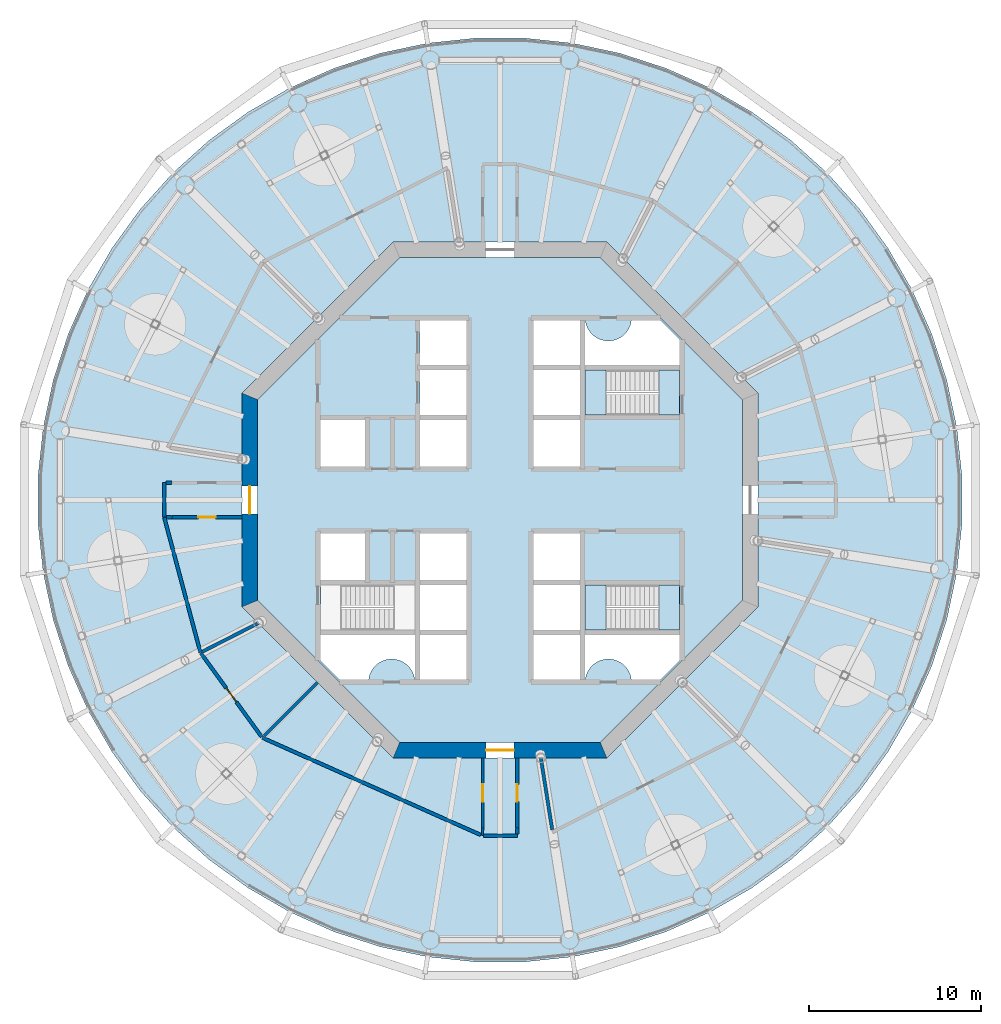
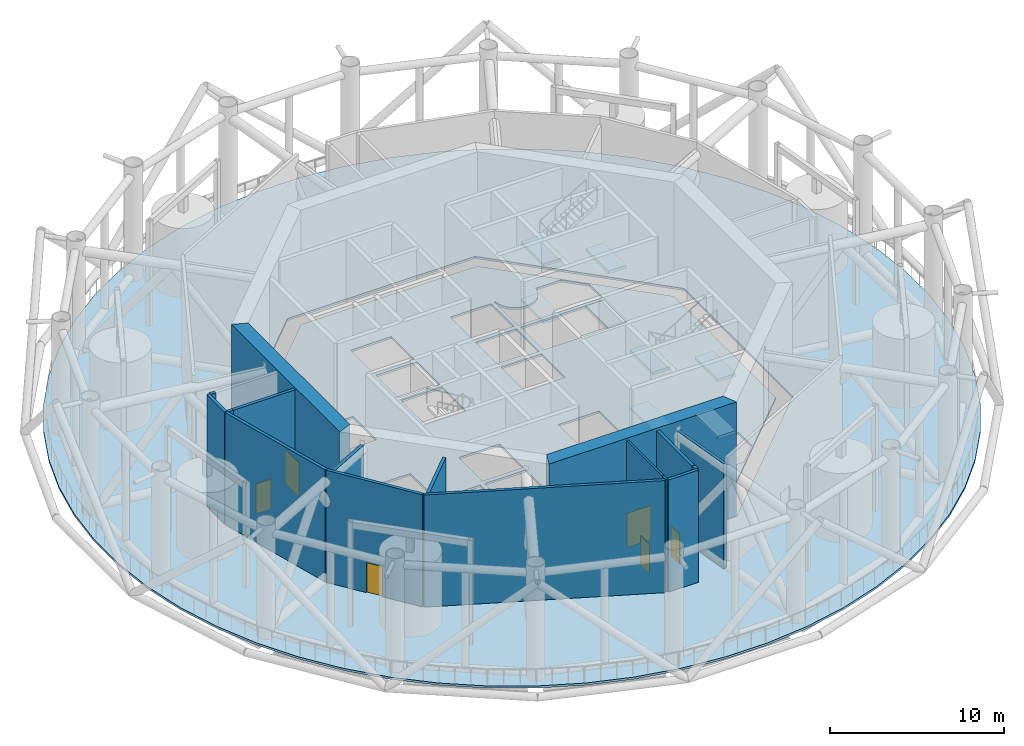
# One storey, part 11 of 22: 17 walls, 10 slabs, 6 doors, 6 openings, 2 elements without a shape of their own.
"""IFC4 building model written with IfcOpenShell, lengths in metres."""

from ifc_helpers import new_model, si_unit, direction, frame, frame_2d, origin, place, context, subcontext, project, spatial, polyline, rectangle, outline, extrude, material, layer, layer_set, type_object, element, fill, aggregate, save


model = new_model("IFC4")

# Units and contexts
model_context = context("Model", 3, precision=1e-05, world=origin(), true_north=direction((0.0, 1.0)))
body_context = subcontext(model_context, "Body", "Model", "MODEL_VIEW")
ifc_project = project(units=[si_unit("LENGTHUNIT", "METRE"), si_unit("AREAUNIT", "SQUARE_METRE"), si_unit("VOLUMEUNIT", "CUBIC_METRE"), si_unit("PLANEANGLEUNIT", "RADIAN"), si_unit("MASSUNIT", "GRAM", prefix="KILO")], contexts=[model_context])

# Site, building, storey
site_placement = place(None, origin())
site = spatial("IfcSite", under=ifc_project, at=site_placement, CompositionType="ELEMENT")
building_placement = place(site_placement, origin())
building = spatial("IfcBuilding", under=site, at=building_placement, Name="Entoto Ring Tower", CompositionType="ELEMENT")
storey_placement = place(building_placement, frame((0.0, 0.0, 230.0)))
storey = spatial("IfcBuildingStorey", under=building, at=storey_placement, Name="L53", CompositionType="ELEMENT", Elevation=230.0)

# Slabs
ifc_material_1 = material(Name="Concrete C30/37", Category="concrete")
ifc_layer_1 = layer(ifc_material_1, 0.14990234375)
ifc_layer_set_1 = layer_set([ifc_layer_1], Name="Concrete C30/37")
slab_type_1 = type_object("IfcSlabType", Name="Composite floor slab 150 mm", PredefinedType="FLOOR", material=ifc_layer_set_1)
slab_1_placement = place(storey_placement, frame((0.0, 0.0, -0.14990234375)))
element("IfcSlab", 1, at=slab_1_placement, inside=storey, type_object=slab_type_1, Name="Floor slab L53", PredefinedType="FLOOR", context=body_context, shape_type="SweptSolid", body=[
    extrude(outline(polyline([(116.56884765625, 84.2080078125), (115.9833984375, 86.962158203125), (115.11328125, 89.64013671875), (113.968017578125, 92.21240234375), (112.560302734375, 94.65087890625), (110.9052734375, 96.9287109375), (109.021240234375, 99.021240234375), (106.9287109375, 100.9052734375), (104.65087890625, 102.560302734375), (102.21240234375, 103.968017578125), (99.64013671875, 105.11328125), (96.962158203125, 105.9833984375), (94.2080078125, 106.56884765625), (91.407958984375, 106.863037109375), (88.592041015625, 106.863037109375), (85.7919921875, 106.56884765625), (83.037841796875, 105.9833984375), (80.35986328125, 105.11328125), (77.78759765625, 103.968017578125), (75.34912109375, 102.560302734375), (73.0712890625, 100.9052734375), (70.978759765625, 99.021240234375), (69.0947265625, 96.9287109375), (67.439697265625, 94.65087890625), (66.031982421875, 92.21240234375), (64.88671875, 89.64013671875), (64.0166015625, 86.962158203125), (63.43115234375, 84.2080078125), (63.136962890625, 81.407958984375), (63.136962890625, 78.592041015625), (63.43115234375, 75.7919921875), (64.0166015625, 73.037841796875), (64.88671875, 70.35986328125), (66.031982421875, 67.78759765625), (67.439697265625, 65.34912109375), (69.0947265625, 63.0712890625), (70.978759765625, 60.978759765625), (73.0712890625, 59.0947265625), (75.34912109375, 57.439697265625), (77.78759765625, 56.031982421875), (80.35986328125, 54.88671875), (83.037841796875, 54.0166015625), (85.7919921875, 53.43115234375), (88.592041015625, 53.136962890625), (91.407958984375, 53.136962890625), (94.2080078125, 53.43115234375), (96.962158203125, 54.0166015625), (99.64013671875, 54.88671875), (102.21240234375, 56.031982421875), (104.65087890625, 57.439697265625), (106.9287109375, 59.0947265625), (109.021240234375, 60.978759765625), (110.9052734375, 63.0712890625), (112.560302734375, 65.34912109375), (113.968017578125, 67.78759765625), (115.11328125, 70.35986328125), (115.9833984375, 73.037841796875), (116.56884765625, 75.7919921875), (116.863037109375, 78.592041015625), (116.863037109375, 81.407958984375), (116.56884765625, 84.2080078125)]), holes=[polyline([(105.0, 73.786865234375), (105.0, 86.213134765625), (96.213134765625, 95.0), (83.786865234375, 95.0), (75.0, 86.213134765625), (75.0, 73.786865234375), (83.786865234375, 65.0), (96.213134765625, 65.0), (105.0, 73.786865234375)])]), origin(), (0.0, 0.0, 1.0), 0.14990234375),
])
ifc_material_2 = material(Name="Concrete C40/50", Category="concrete")
ifc_layer_2 = layer(ifc_material_2, 0.14990234375)
ifc_layer_set_2 = layer_set([ifc_layer_2], Name="Concrete C40/50")
slab_type_2 = type_object("IfcSlabType", Name="Core floor slab 150 mm reinforced concrete C40/50", PredefinedType="FLOOR", material=ifc_layer_set_2)
slab_2_placement = place(storey_placement, frame((0.0, 0.0, -0.14990234375)))
element("IfcSlab", 2, at=slab_2_placement, inside=storey, type_object=slab_type_2, Name="Core floor L53", PredefinedType="FLOOR", context=body_context, shape_type="SweptSolid", body=[
    extrude(outline(polyline([(104.10009765625, 74.15966796875), (104.10009765625, 85.84033203125), (95.84033203125, 94.10009765625), (84.15966796875, 94.10009765625), (75.89990234375, 85.84033203125), (75.89990234375, 74.15966796875), (84.15966796875, 65.89990234375), (95.84033203125, 65.89990234375), (104.10009765625, 74.15966796875)]), holes=[polyline([(100.449951171875, 84.949951171875), (100.449951171875, 87.550048828125), (94.949951171875, 87.550048828125), (94.949951171875, 84.949951171875), (100.449951171875, 84.949951171875)]), polyline([(85.050048828125, 72.449951171875), (85.050048828125, 75.050048828125), (79.550048828125, 75.050048828125), (79.550048828125, 72.449951171875), (85.050048828125, 72.449951171875)]), polyline([(100.449951171875, 72.449951171875), (100.449951171875, 75.050048828125), (94.949951171875, 75.050048828125), (94.949951171875, 72.449951171875), (100.449951171875, 72.449951171875)]), polyline([(91.949951171875, 84.949951171875), (94.64990234375, 84.949951171875), (94.64990234375, 87.550048828125), (91.949951171875, 87.550048828125), (91.949951171875, 84.949951171875)]), polyline([(91.949951171875, 72.449951171875), (94.64990234375, 72.449951171875), (94.64990234375, 75.050048828125), (91.949951171875, 75.050048828125), (91.949951171875, 72.449951171875)]), polyline([(91.949951171875, 69.550048828125), (94.64990234375, 69.550048828125), (94.64990234375, 72.14990234375), (91.949951171875, 72.14990234375), (91.949951171875, 69.550048828125)]), polyline([(85.35009765625, 72.449951171875), (88.050048828125, 72.449951171875), (88.050048828125, 75.050048828125), (85.35009765625, 75.050048828125), (85.35009765625, 72.449951171875)]), polyline([(85.35009765625, 81.949951171875), (88.050048828125, 81.949951171875), (88.050048828125, 84.64990234375), (85.35009765625, 84.64990234375), (85.35009765625, 81.949951171875)]), polyline([(91.949951171875, 75.35009765625), (94.64990234375, 75.35009765625), (94.64990234375, 78.050048828125), (91.949951171875, 78.050048828125), (91.949951171875, 75.35009765625)]), polyline([(79.550048828125, 81.949951171875), (82.14990234375, 81.949951171875), (82.14990234375, 84.64990234375), (79.550048828125, 84.64990234375), (79.550048828125, 81.949951171875)]), polyline([(79.550048828125, 75.35009765625), (82.14990234375, 75.35009765625), (82.14990234375, 78.050048828125), (79.550048828125, 78.050048828125), (79.550048828125, 75.35009765625)]), polyline([(91.949951171875, 87.85009765625), (94.64990234375, 87.85009765625), (94.64990234375, 90.449951171875), (91.949951171875, 90.449951171875), (91.949951171875, 87.85009765625)]), polyline([(85.35009765625, 69.550048828125), (88.050048828125, 69.550048828125), (88.050048828125, 72.14990234375), (85.35009765625, 72.14990234375), (85.35009765625, 69.550048828125)]), polyline([(91.949951171875, 81.949951171875), (94.64990234375, 81.949951171875), (94.64990234375, 84.64990234375), (91.949951171875, 84.64990234375), (91.949951171875, 81.949951171875)]), polyline([(85.35009765625, 75.35009765625), (88.050048828125, 75.35009765625), (88.050048828125, 78.050048828125), (85.35009765625, 78.050048828125), (85.35009765625, 75.35009765625)]), polyline([(85.35009765625, 84.949951171875), (88.050048828125, 84.949951171875), (88.050048828125, 87.550048828125), (85.35009765625, 87.550048828125), (85.35009765625, 84.949951171875)]), polyline([(85.35009765625, 87.85009765625), (88.050048828125, 87.85009765625), (88.050048828125, 90.449951171875), (85.35009765625, 90.449951171875), (85.35009765625, 87.85009765625)]), polyline([(94.89990234375, 90.5), (94.89990234375, 87.800048828125), (100.5, 87.800048828125), (100.5, 89.299072265625), (99.299072265625, 90.5), (97.64501953125, 90.5), (97.6435546875, 90.4677734375), (97.6240234375, 90.336669921875), (97.591796875, 90.2080078125), (97.547119140625, 90.08349609375), (97.490478515625, 89.963623046875), (97.422607421875, 89.85009765625), (97.343505859375, 89.74365234375), (97.254638671875, 89.6455078125), (97.156494140625, 89.556396484375), (97.050048828125, 89.4775390625), (96.936279296875, 89.409423828125), (96.816650390625, 89.352783203125), (96.69189453125, 89.30810546875), (96.5634765625, 89.27587890625), (96.432373046875, 89.256591796875), (96.300048828125, 89.25), (96.167724609375, 89.256591796875), (96.03662109375, 89.27587890625), (95.908203125, 89.30810546875), (95.783447265625, 89.352783203125), (95.66357421875, 89.409423828125), (95.550048828125, 89.4775390625), (95.443603515625, 89.556396484375), (95.345458984375, 89.6455078125), (95.25634765625, 89.74365234375), (95.177490234375, 89.85009765625), (95.109375, 89.963623046875), (95.052734375, 90.08349609375), (95.008056640625, 90.2080078125), (94.975830078125, 90.336669921875), (94.95654296875, 90.4677734375), (94.954833984375, 90.5), (94.89990234375, 90.5)]), polyline([(79.5, 70.700927734375), (80.700927734375, 69.5), (82.35498046875, 69.5), (82.3564453125, 69.5322265625), (82.3759765625, 69.663330078125), (82.408203125, 69.7919921875), (82.452880859375, 69.91650390625), (82.509521484375, 70.036376953125), (82.577392578125, 70.14990234375), (82.656494140625, 70.25634765625), (82.745361328125, 70.3544921875), (82.843505859375, 70.443603515625), (82.949951171875, 70.5224609375), (83.063720703125, 70.590576171875), (83.183349609375, 70.647216796875), (83.30810546875, 70.69189453125), (83.4365234375, 70.72412109375), (83.567626953125, 70.743408203125), (83.699951171875, 70.75), (83.832275390625, 70.743408203125), (83.96337890625, 70.72412109375), (84.091796875, 70.69189453125), (84.216552734375, 70.647216796875), (84.33642578125, 70.590576171875), (84.449951171875, 70.5224609375), (84.556396484375, 70.443603515625), (84.654541015625, 70.3544921875), (84.74365234375, 70.25634765625), (84.822509765625, 70.14990234375), (84.890625, 70.036376953125), (84.947265625, 69.91650390625), (84.991943359375, 69.7919921875), (85.024169921875, 69.663330078125), (85.04345703125, 69.5322265625), (85.045166015625, 69.5), (85.10009765625, 69.5), (85.10009765625, 72.199951171875), (79.5, 72.199951171875), (79.5, 70.700927734375)]), polyline([(97.64501953125, 69.5), (99.299072265625, 69.5), (100.5, 70.700927734375), (100.5, 72.199951171875), (94.89990234375, 72.199951171875), (94.89990234375, 69.5), (94.954833984375, 69.5), (94.95654296875, 69.5322265625), (94.975830078125, 69.663330078125), (95.008056640625, 69.7919921875), (95.052734375, 69.91650390625), (95.109375, 70.036376953125), (95.177490234375, 70.14990234375), (95.25634765625, 70.25634765625), (95.345458984375, 70.3544921875), (95.443603515625, 70.443603515625), (95.550048828125, 70.5224609375), (95.66357421875, 70.590576171875), (95.783447265625, 70.647216796875), (95.908203125, 70.69189453125), (96.03662109375, 70.72412109375), (96.167724609375, 70.743408203125), (96.300048828125, 70.75), (96.432373046875, 70.743408203125), (96.5634765625, 70.72412109375), (96.69189453125, 70.69189453125), (96.816650390625, 70.647216796875), (96.936279296875, 70.590576171875), (97.050048828125, 70.5224609375), (97.156494140625, 70.443603515625), (97.254638671875, 70.3544921875), (97.343505859375, 70.25634765625), (97.422607421875, 70.14990234375), (97.490478515625, 70.036376953125), (97.547119140625, 69.91650390625), (97.591796875, 69.7919921875), (97.6240234375, 69.663330078125), (97.6435546875, 69.5322265625), (97.64501953125, 69.5)])]), origin(), (0.0, 0.0, 1.0), 0.14990234375),
])

# Stair, slabs
ifc_material_3 = material(Name="Concrete C40/50", Category="concrete")
stair_type = type_object("IfcStairType", Name="Exit stair 1200 mm dog-leg reinforced concrete", PredefinedType="HALF_TURN_STAIR", material=ifc_material_3)
stair_1_placement = place(storey_placement, origin())
stair_1 = element("IfcStair", 3, at=stair_1_placement, inside=storey, type_object=stair_type, Name="Exit stair 1", PredefinedType="HALF_TURN_STAIR")
ifc_material_4 = material(Name="Concrete C40/50", Category="concrete")
ifc_layer_3 = layer(ifc_material_4, 0.199951171875)
ifc_layer_set_3 = layer_set([ifc_layer_3], Name="Concrete C40/50")
slab_type_3 = type_object("IfcSlabType", Name="Stair landing 200 mm reinforced concrete", PredefinedType="LANDING", material=ifc_layer_set_3)
slab_3_placement = place(storey_placement, frame((0.0, 0.0, -0.199951171875)))
slab_3 = element("IfcSlab", 4, at=slab_3_placement, type_object=slab_type_3, Name="ST1 landing 1", PredefinedType="LANDING", context=body_context, shape_type="SweptSolid", body=[
    extrude(outline(polyline([(100.449951171875, 84.949951171875), (100.449951171875, 87.550048828125), (99.25, 87.550048828125), (99.25, 84.949951171875), (100.449951171875, 84.949951171875)])), origin(), (0.0, 0.0, 1.0), 0.199951171875),
])
slab_4_placement = place(storey_placement, frame((0.0, 0.0, 1.800048828125)))
slab_4 = element("IfcSlab", 5, at=slab_4_placement, type_object=slab_type_3, Name="ST1 landing 2", PredefinedType="LANDING", context=body_context, shape_type="SweptSolid", body=[
    extrude(outline(polyline([(94.949951171875, 84.949951171875), (96.169921875, 84.949951171875), (96.169921875, 87.550048828125), (94.949951171875, 87.550048828125), (94.949951171875, 84.949951171875)])), origin(), (0.0, 0.0, 1.0), 0.199951171875),
])
slab_5_placement = place(storey_placement, frame((0.0, 0.0, 3.800048828125)))
slab_5 = element("IfcSlab", 6, at=slab_5_placement, type_object=slab_type_3, Name="ST1 landing 3", PredefinedType="LANDING", context=body_context, shape_type="SweptSolid", body=[
    extrude(outline(polyline([(99.25, 84.949951171875), (100.449951171875, 84.949951171875), (100.449951171875, 87.550048828125), (99.25, 87.550048828125), (99.25, 84.949951171875)])), origin(), (0.0, 0.0, 1.0), 0.199951171875),
])
slab_6_placement = place(storey_placement, frame((0.0, 0.0, 5.800048828125)))
slab_6 = element("IfcSlab", 7, at=slab_6_placement, type_object=slab_type_3, Name="ST1 landing 4", PredefinedType="LANDING", context=body_context, shape_type="SweptSolid", body=[
    extrude(outline(polyline([(94.949951171875, 84.949951171875), (96.169921875, 84.949951171875), (96.169921875, 87.550048828125), (94.949951171875, 87.550048828125), (94.949951171875, 84.949951171875)])), origin(), (0.0, 0.0, 1.0), 0.199951171875),
])
aggregate(stair_1, [slab_3, slab_4, slab_5, slab_6])

stair_2_placement = place(storey_placement, origin())
stair_2 = element("IfcStair", 8, at=stair_2_placement, inside=storey, type_object=stair_type, Name="Exit stair 3", PredefinedType="HALF_TURN_STAIR")
slab_7_placement = place(storey_placement, frame((0.0, 0.0, -0.199951171875)))
slab_7 = element("IfcSlab", 9, at=slab_7_placement, type_object=slab_type_3, Name="ST3 landing 1", PredefinedType="LANDING", context=body_context, shape_type="SweptSolid", body=[
    extrude(outline(polyline([(100.449951171875, 72.449951171875), (100.449951171875, 75.050048828125), (99.25, 75.050048828125), (99.25, 72.449951171875), (100.449951171875, 72.449951171875)])), origin(), (0.0, 0.0, 1.0), 0.199951171875),
])
slab_8_placement = place(storey_placement, frame((0.0, 0.0, 1.800048828125)))
slab_8 = element("IfcSlab", 10, at=slab_8_placement, type_object=slab_type_3, Name="ST3 landing 2", PredefinedType="LANDING", context=body_context, shape_type="SweptSolid", body=[
    extrude(outline(polyline([(94.949951171875, 72.449951171875), (96.169921875, 72.449951171875), (96.169921875, 75.050048828125), (94.949951171875, 75.050048828125), (94.949951171875, 72.449951171875)])), origin(), (0.0, 0.0, 1.0), 0.199951171875),
])
slab_9_placement = place(storey_placement, frame((0.0, 0.0, 3.800048828125)))
slab_9 = element("IfcSlab", 11, at=slab_9_placement, type_object=slab_type_3, Name="ST3 landing 3", PredefinedType="LANDING", context=body_context, shape_type="SweptSolid", body=[
    extrude(outline(polyline([(99.25, 72.449951171875), (100.449951171875, 72.449951171875), (100.449951171875, 75.050048828125), (99.25, 75.050048828125), (99.25, 72.449951171875)])), origin(), (0.0, 0.0, 1.0), 0.199951171875),
])
slab_10_placement = place(storey_placement, frame((0.0, 0.0, 5.800048828125)))
slab_10 = element("IfcSlab", 12, at=slab_10_placement, type_object=slab_type_3, Name="ST3 landing 4", PredefinedType="LANDING", context=body_context, shape_type="SweptSolid", body=[
    extrude(outline(polyline([(94.949951171875, 72.449951171875), (96.169921875, 72.449951171875), (96.169921875, 75.050048828125), (94.949951171875, 75.050048828125), (94.949951171875, 72.449951171875)])), origin(), (0.0, 0.0, 1.0), 0.199951171875),
])
aggregate(stair_2, [slab_7, slab_8, slab_9, slab_10])

# Wall, opening, door
ifc_material_5 = material(Name="Concrete C50/60", Category="concrete")
ifc_layer_4 = layer(ifc_material_5, 0.89990234375)
ifc_layer_set_4 = layer_set([ifc_layer_4], Name="Concrete C50/60")
wall_type_1 = type_object("IfcWallType", Name="Core shear wall 900 mm reinforced concrete C50/60", PredefinedType="SHEAR", material=ifc_layer_set_4)
wall_1_placement = place(storey_placement, frame((75.449951171875, 86.02685546875, 0.0), z_axis=(0.0, 0.0, 1.0), x_axis=(0.0, -1.0, 0.0)))
wall_1 = element("IfcWall", 13, at=wall_1_placement, inside=storey, type_object=wall_type_1, Name="wall-L53-core-4", PredefinedType="SHEAR", context=body_context, shape_type="SweptSolid", body=[
    extrude(outline(polyline([(-0.186279296875, -0.449951171875), (12.239990234375, -0.449951171875), (11.867431640625, 0.449951171875), (0.186279296875, 0.449951171875), (-0.186279296875, -0.449951171875)])), origin(), (0.0, 0.0, 1.0), 8.0),
])
opening_1_placement = place(wall_1_placement, frame((5.226806640625, 0.0, 0.0)))
opening_1 = element("IfcOpeningElement", 14, at=opening_1_placement, cuts=wall_1, Name="Opening K-03", PredefinedType="OPENING", context=body_context, shape_type="SweptSolid", body=[
    extrude(rectangle(XDim=1.60009765625, YDim=2.39990234375, at=frame_2d((0.800048828125, 1.199951171875))), frame((0.0, 0.4599609375, 0.0), z_axis=(0.0, -1.0, 0.0), x_axis=(1.0, 0.0, 0.0)), (0.0, 0.0, 1.0), 0.919921875),
])
ifc_material_6 = material(Name="Steel door leaf, fire rated", Category="steel")
ifc_layer_5 = layer(ifc_material_6, 0.050048828125)
ifc_layer_set_5 = layer_set([ifc_layer_5], Name="Steel door leaf, fire rated")
door_type_1 = type_object("IfcDoorType", Name="Entrance door FD60 1600 x 2400 double leaf", OperationType="DOUBLE_DOOR_SINGLE_SWING", PredefinedType="DOOR", material=ifc_layer_set_5)
door_1_placement = place(opening_1_placement, origin())
door_1 = element("IfcDoor", 15, at=door_1_placement, inside=storey, type_object=door_type_1, Name="Entrance door K-03", OperationType="DOUBLE_DOOR_SINGLE_SWING", OverallHeight=2.39990234375, OverallWidth=1.60009765625, PredefinedType="DOOR", context=body_context, shape_type="SweptSolid", body=[
    extrude(rectangle(XDim=1.60009765625, YDim=2.39990234375, at=frame_2d((0.800048828125, 1.199951171875))), frame((0.0, 0.02490234375, 0.0), z_axis=(0.0, -1.0, 0.0), x_axis=(1.0, 0.0, 0.0)), (0.0, 0.0, 1.0), 0.050048828125),
])
fill(opening_1, door_1)

wall_2_placement = place(storey_placement, frame((83.97314453125, 65.449951171875, 0.0), z_axis=(0.0, 0.0, 1.0), x_axis=(1.0, 0.0, 0.0)))
wall_2 = element("IfcWall", 16, at=wall_2_placement, inside=storey, type_object=wall_type_1, Name="wall-L53-core-6", PredefinedType="SHEAR", context=body_context, shape_type="SweptSolid", body=[
    extrude(outline(polyline([(-0.186279296875, -0.449951171875), (12.239990234375, -0.449951171875), (11.867431640625, 0.449951171875), (0.186279296875, 0.449951171875), (-0.186279296875, -0.449951171875)])), origin(), (0.0, 0.0, 1.0), 8.0),
])
opening_2_placement = place(wall_2_placement, frame((5.226806640625, 0.0, 0.0)))
opening_2 = element("IfcOpeningElement", 17, at=opening_2_placement, cuts=wall_2, Name="Opening K-04", PredefinedType="OPENING", context=body_context, shape_type="SweptSolid", body=[
    extrude(rectangle(XDim=1.60009765625, YDim=2.39990234375, at=frame_2d((0.800048828125, 1.199951171875))), frame((0.0, 0.4599609375, 0.0), z_axis=(0.0, -1.0, 0.0), x_axis=(1.0, 0.0, 0.0)), (0.0, 0.0, 1.0), 0.919921875),
])
door_2_placement = place(opening_2_placement, origin())
door_2 = element("IfcDoor", 18, at=door_2_placement, inside=storey, type_object=door_type_1, Name="Entrance door K-04", OperationType="DOUBLE_DOOR_SINGLE_SWING", OverallHeight=2.39990234375, OverallWidth=1.60009765625, PredefinedType="DOOR", context=body_context, shape_type="SweptSolid", body=[
    extrude(rectangle(XDim=1.60009765625, YDim=2.39990234375, at=frame_2d((0.800048828125, 1.199951171875))), frame((0.0, 0.02490234375, 0.0), z_axis=(0.0, -1.0, 0.0), x_axis=(1.0, 0.0, 0.0)), (0.0, 0.0, 1.0), 0.050048828125),
])
fill(opening_2, door_2)

ifc_material_7 = material(Name="Fire-resisting plasterboard on steel studs", Category="steel")
ifc_layer_6 = layer(ifc_material_7, 0.125)
ifc_layer_set_6 = layer_set([ifc_layer_6], Name="Fire-resisting plasterboard on steel studs")
wall_type_2 = type_object("IfcWallType", Name="Corridor wall 125 mm one-hour plasterboard on steel studs", PredefinedType="PARTITIONING", material=ifc_layer_set_6)
wall_3_placement = place(storey_placement, frame((89.0, 60.9189453125, 0.0), z_axis=(0.0, 0.0, 1.0), x_axis=(0.0, 1.0, 0.0)))
wall_3 = element("IfcWall", 19, at=wall_3_placement, inside=storey, type_object=wall_type_2, Name="partition-L53-001", PredefinedType="PARTITIONING", context=body_context, shape_type="SweptSolid", body=[
    extrude(rectangle(XDim=4.0810546875, YDim=0.125, at=frame_2d((2.04052734375, 0.0))), origin(), (0.0, 0.0, 1.0), 7.85009765625),
])
opening_3_placement = place(wall_3_placement, frame((1.54052734375, 0.0, 0.0)))
opening_3 = element("IfcOpeningElement", 20, at=opening_3_placement, cuts=wall_3, Name="Opening A23-D09", PredefinedType="OPENING", context=body_context, shape_type="SweptSolid", body=[
    extrude(rectangle(XDim=1.0, YDim=2.10009765625, at=frame_2d((0.5, 1.050048828125))), frame((0.0, 0.072509765625, 0.0), z_axis=(0.0, -1.0, 0.0), x_axis=(1.0, 0.0, 0.0)), (0.0, 0.0, 1.0), 0.14501953125),
])
ifc_material_8 = material(Name="Fire-resisting timber door set", Category="wood")
door_type_2 = type_object("IfcDoorType", Name="Door 1000 x 2100 single leaf FD30S fire door", OperationType="NOTDEFINED", PredefinedType="DOOR", material=ifc_material_8)
door_3_placement = place(opening_3_placement, origin())
door_3 = element("IfcDoor", 21, at=door_3_placement, inside=storey, type_object=door_type_2, Name="Door A23-D09", OperationType="SINGLE_SWING_LEFT", OverallHeight=2.10009765625, OverallWidth=1.0, PredefinedType="DOOR", context=body_context, shape_type="SweptSolid", body=[
    extrude(rectangle(XDim=1.0, YDim=2.10009765625, at=frame_2d((0.5, 1.050048828125))), frame((0.0, 0.02490234375, 0.0), z_axis=(0.0, -1.0, 0.0), x_axis=(1.0, 0.0, 0.0)), (0.0, 0.0, 1.0), 0.050048828125),
])
fill(opening_3, door_3)

# Walls
wall_4_placement = place(storey_placement, frame((88.976806640625, 60.476806640625, 0.0), z_axis=(0.0, 0.0, 1.0), x_axis=(0.052237984671, 0.998634664408, 0.0)))
element("IfcWall", 22, at=wall_4_placement, inside=storey, type_object=wall_type_2, Name="partition-L53-002", PredefinedType="PARTITIONING", context=body_context, shape_type="SweptSolid", body=[
    extrude(rectangle(XDim=0.439208984375, YDim=0.125, at=frame_2d((0.2197265625, 0.0))), origin(), (0.0, 0.0, 1.0), 7.85009765625),
])
ifc_material_9 = material(Name="Concrete C20/25", Category="concrete")
ifc_layer_7 = layer(ifc_material_9, 0.199951171875)
ifc_layer_set_7 = layer_set([ifc_layer_7], Name="Concrete C20/25")
wall_type_3 = type_object("IfcWallType", Name="Plant room wall 200 mm two-hour concrete", PredefinedType="PARTITIONING", material=ifc_layer_set_7)
wall_5_placement = place(storey_placement, frame((88.880859375, 60.51953125, 0.0), z_axis=(0.0, 0.0, 1.0), x_axis=(-0.913547124611, 0.406732898982, 0.0)))
element("IfcWall", 23, at=wall_5_placement, inside=storey, type_object=wall_type_3, Name="partition-L53-003", PredefinedType="PARTITIONING", context=body_context, shape_type="SweptSolid", body=[
    extrude(rectangle(XDim=13.9072265625, YDim=0.199951171875, at=frame_2d((6.95361328125, 0.0))), origin(), (0.0, 0.0, 1.0), 7.85009765625),
])
wall_6_placement = place(storey_placement, frame((72.580810546875, 71.12451171875, 0.0), z_axis=(0.0, 0.0, 1.0), x_axis=(-0.25881764755, 0.965926200761, 0.0)))
element("IfcWall", 24, at=wall_6_placement, inside=storey, type_object=wall_type_3, Name="partition-L53-008", PredefinedType="PARTITIONING", context=body_context, shape_type="SweptSolid", body=[
    extrude(rectangle(XDim=8.12939453125, YDim=0.199951171875, at=frame_2d((4.064697265625, 0.0))), origin(), (0.0, 0.0, 1.0), 7.85009765625),
])

# Wall, opening, door
wall_7_placement = place(storey_placement, frame((76.146728515625, 66.21630859375, 0.0), z_axis=(0.0, 0.0, 1.0), x_axis=(-0.587767263385, 0.809030063775, 0.0)))
wall_7 = element("IfcWall", 25, at=wall_7_placement, inside=storey, type_object=wall_type_3, Name="partition-L53-011", PredefinedType="PARTITIONING", context=body_context, shape_type="SweptSolid", body=[
    extrude(rectangle(XDim=6.03125, YDim=0.199951171875, at=frame_2d((3.015625, 0.0))), origin(), (0.0, 0.0, 1.0), 7.85009765625),
])
opening_4_placement = place(wall_7_placement, frame((2.508544921875, 0.0, 0.0)))
opening_4 = element("IfcOpeningElement", 26, at=opening_4_placement, cuts=wall_7, Name="Opening A23-D08", PredefinedType="OPENING", context=body_context, shape_type="SweptSolid", body=[
    extrude(rectangle(XDim=1.0, YDim=2.10009765625, at=frame_2d((0.5, 1.050048828125))), frame((0.0, 0.10986328125, 0.0), z_axis=(0.0, -1.0, 0.0), x_axis=(1.0, 0.0, 0.0)), (0.0, 0.0, 1.0), 0.219970703125),
])
ifc_material_10 = material(Name="Fire-resisting steel door set", Category="steel")
door_type_3 = type_object("IfcDoorType", Name="Door 1000 x 2100 single leaf FD60 steel door", OperationType="NOTDEFINED", PredefinedType="DOOR", material=ifc_material_10)
door_4_placement = place(opening_4_placement, frame((1.0, 0.0, 0.0), z_axis=(0.0, 0.0, 1.0), x_axis=(-1.0, 0.0, 0.0)))
door_4 = element("IfcDoor", 27, at=door_4_placement, inside=storey, type_object=door_type_3, Name="Door A23-D08", OperationType="SINGLE_SWING_LEFT", OverallHeight=2.10009765625, OverallWidth=1.0, PredefinedType="DOOR", context=body_context, shape_type="SweptSolid", body=[
    extrude(rectangle(XDim=1.0, YDim=2.10009765625, at=frame_2d((0.5, 1.050048828125))), frame((0.0, 0.02490234375, 0.0), z_axis=(0.0, -1.0, 0.0), x_axis=(1.0, 0.0, 0.0)), (0.0, 0.0, 1.0), 0.050048828125),
])
fill(opening_4, door_4)

wall_8_placement = place(storey_placement, frame((70.9189453125, 79.0, 0.0), z_axis=(0.0, 0.0, 1.0), x_axis=(1.0, 0.0, 0.0)))
wall_8 = element("IfcWall", 28, at=wall_8_placement, inside=storey, type_object=wall_type_3, Name="partition-L53-022", PredefinedType="PARTITIONING", context=body_context, shape_type="SweptSolid", body=[
    extrude(rectangle(XDim=4.0810546875, YDim=0.199951171875, at=frame_2d((2.04052734375, 0.0))), origin(), (0.0, 0.0, 1.0), 7.85009765625),
])
opening_5_placement = place(wall_8_placement, frame((1.54052734375, 0.0, 0.0)))
opening_5 = element("IfcOpeningElement", 29, at=opening_5_placement, cuts=wall_8, Name="Opening A23-D07", PredefinedType="OPENING", context=body_context, shape_type="SweptSolid", body=[
    extrude(rectangle(XDim=1.0, YDim=2.10009765625, at=frame_2d((0.5, 1.050048828125))), frame((0.0, 0.10986328125, 0.0), z_axis=(0.0, -1.0, 0.0), x_axis=(1.0, 0.0, 0.0)), (0.0, 0.0, 1.0), 0.219970703125),
])
door_5_placement = place(opening_5_placement, frame((1.0, 0.0, 0.0), z_axis=(0.0, 0.0, 1.0), x_axis=(-1.0, 0.0, 0.0)))
door_5 = element("IfcDoor", 30, at=door_5_placement, inside=storey, type_object=door_type_3, Name="Door A23-D07", OperationType="SINGLE_SWING_LEFT", OverallHeight=2.10009765625, OverallWidth=1.0, PredefinedType="DOOR", context=body_context, shape_type="SweptSolid", body=[
    extrude(rectangle(XDim=1.0, YDim=2.10009765625, at=frame_2d((0.5, 1.050048828125))), frame((0.0, 0.02490234375, 0.0), z_axis=(0.0, -1.0, 0.0), x_axis=(1.0, 0.0, 0.0)), (0.0, 0.0, 1.0), 0.050048828125),
])
fill(opening_5, door_5)

wall_9_placement = place(storey_placement, frame((91.0, 60.9189453125, 0.0), z_axis=(0.0, 0.0, 1.0), x_axis=(0.0, 1.0, 0.0)))
wall_9 = element("IfcWall", 31, at=wall_9_placement, inside=storey, type_object=wall_type_3, Name="partition-L53-025", PredefinedType="PARTITIONING", context=body_context, shape_type="SweptSolid", body=[
    extrude(rectangle(XDim=4.0810546875, YDim=0.199951171875, at=frame_2d((2.04052734375, 0.0))), origin(), (0.0, 0.0, 1.0), 7.85009765625),
])
opening_6_placement = place(wall_9_placement, frame((1.54052734375, 0.0, 0.0)))
opening_6 = element("IfcOpeningElement", 32, at=opening_6_placement, cuts=wall_9, Name="Opening A23-D15", PredefinedType="OPENING", context=body_context, shape_type="SweptSolid", body=[
    extrude(rectangle(XDim=1.0, YDim=2.10009765625, at=frame_2d((0.5, 1.050048828125))), frame((0.0, 0.10986328125, 0.0), z_axis=(0.0, -1.0, 0.0), x_axis=(1.0, 0.0, 0.0)), (0.0, 0.0, 1.0), 0.219970703125),
])
door_6_placement = place(opening_6_placement, origin())
door_6 = element("IfcDoor", 33, at=door_6_placement, inside=storey, type_object=door_type_3, Name="Door A23-D15", OperationType="SINGLE_SWING_RIGHT", OverallHeight=2.10009765625, OverallWidth=1.0, PredefinedType="DOOR", context=body_context, shape_type="SweptSolid", body=[
    extrude(rectangle(XDim=1.0, YDim=2.10009765625, at=frame_2d((0.5, 1.050048828125))), frame((0.0, 0.02490234375, 0.0), z_axis=(0.0, -1.0, 0.0), x_axis=(1.0, 0.0, 0.0)), (0.0, 0.0, 1.0), 0.050048828125),
])
fill(opening_6, door_6)

# Walls
wall_10_placement = place(storey_placement, frame((70.476806640625, 79.002685546875, 0.0), z_axis=(0.0, 0.0, 1.0), x_axis=(0.0, 1.0, 0.0)))
element("IfcWall", 34, at=wall_10_placement, inside=storey, type_object=wall_type_3, Name="partition-L53-032", PredefinedType="PARTITIONING", context=body_context, shape_type="SweptSolid", body=[
    extrude(rectangle(XDim=2.0205078125, YDim=0.199951171875, at=frame_2d((1.01025390625, 0.0))), origin(), (0.0, 0.0, 1.0), 7.85009765625),
])
wall_11_placement = place(storey_placement, frame((89.044677734375, 60.476806640625, 0.0), z_axis=(0.0, 0.0, 1.0), x_axis=(1.0, 0.0, 0.0)))
element("IfcWall", 35, at=wall_11_placement, inside=storey, type_object=wall_type_3, Name="partition-L53-033", PredefinedType="PARTITIONING", context=body_context, shape_type="SweptSolid", body=[
    extrude(rectangle(XDim=1.978515625, YDim=0.199951171875, at=frame_2d((0.9892578125, 0.0))), origin(), (0.0, 0.0, 1.0), 7.85009765625),
])
wall_12_placement = place(storey_placement, frame((70.60009765625, 78.9833984375, 0.0), z_axis=(0.0, 0.0, 1.0), x_axis=(0.998641361908, 0.052109790691, 0.0)))
element("IfcWall", 36, at=wall_12_placement, inside=storey, type_object=wall_type_3, Name="partition-L53-036", PredefinedType="PARTITIONING", context=body_context, shape_type="SweptSolid", body=[
    extrude(rectangle(XDim=0.31396484375, YDim=0.199951171875, at=frame_2d((0.156982421875, 0.0))), origin(), (0.0, 0.0, 1.0), 7.85009765625),
])
for number, where, z_axis, x_axis, name in (
    (37, (70.91357421875, 81.000244140625, 0.0), (0.0, 0.0, 1.0), (-0.998636051661, 0.052211457782, 0.0), "partition-L53-037"),
    (38, (91.017578125, 60.58203125, 0.0), (0.0, 0.0, 1.0), (-0.052211457782, 0.998636051661, 0.0), "partition-L53-040"),
):
    element("IfcWall", number, at=place(storey_placement, frame(where, z_axis=z_axis, x_axis=x_axis)), inside=storey, type_object=wall_type_3, Name=name, PredefinedType="PARTITIONING", context=body_context, shape_type="SweptSolid", body=[
        extrude(rectangle(XDim=0.33203125, YDim=0.199951171875, at=frame_2d((0.166015625, 0.0))), origin(), (0.0, 0.0, 1.0), 7.85009765625),
    ])
ifc_material_11 = material(Name="Concrete C20/25", Category="concrete")
ifc_layer_8 = layer(ifc_material_11, 0.199951171875)
ifc_layer_set_8 = layer_set([ifc_layer_8], Name="Concrete C20/25")
wall_type_4 = type_object("IfcWallType", Name="Plant room wall 200 mm two-hour concrete, 7350 mm high", PredefinedType="PARTITIONING", material=ifc_layer_set_8)
wall_13_placement = place(storey_placement, frame((76.27880859375, 66.27880859375, 0.0), z_axis=(0.0, 0.0, 1.0), x_axis=(0.707106781187, 0.707106781187, 0.0)))
element("IfcWall", 39, at=wall_13_placement, inside=storey, type_object=wall_type_4, Name="partition-L53-014", PredefinedType="PARTITIONING", context=body_context, shape_type="SweptSolid", body=[
    extrude(rectangle(XDim=4.404541015625, YDim=0.199951171875, at=frame_2d((2.2021484375, 0.0))), origin(), (0.0, 0.0, 1.0), 7.35009765625),
])
wall_14_placement = place(storey_placement, frame((93.036865234375, 60.826416015625, 0.0), z_axis=(0.0, 0.0, 1.0), x_axis=(-0.156458024041, 0.987684608928, 0.0)))
element("IfcWall", 40, at=wall_14_placement, inside=storey, type_object=wall_type_4, Name="partition-L53-020", PredefinedType="PARTITIONING", context=body_context, shape_type="SweptSolid", body=[
    extrude(rectangle(XDim=4.2255859375, YDim=0.199951171875, at=frame_2d((2.11279296875, 0.0))), origin(), (0.0, 0.0, 1.0), 7.35009765625),
])
wall_15_placement = place(storey_placement, frame((72.69091796875, 71.180419921875, 0.0), z_axis=(0.0, 0.0, 1.0), x_axis=(0.890994117827, 0.454014847773, 0.0)))
element("IfcWall", 41, at=wall_15_placement, inside=storey, type_object=wall_type_4, Name="partition-L53-029", PredefinedType="PARTITIONING", context=body_context, shape_type="SweptSolid", body=[
    extrude(rectangle(XDim=3.654541015625, YDim=0.199951171875, at=frame_2d((1.8271484375, 0.0))), origin(), (0.0, 0.0, 1.0), 7.35009765625),
])

save(model, "model.ifc")
